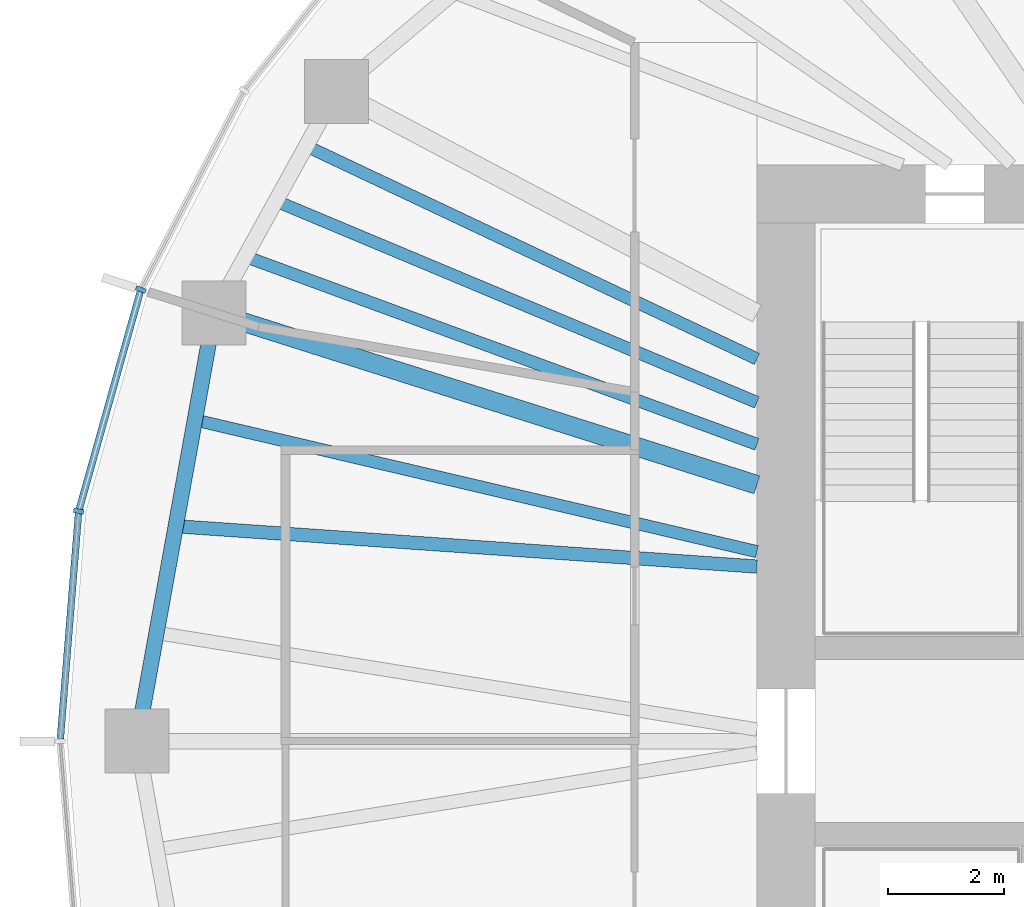
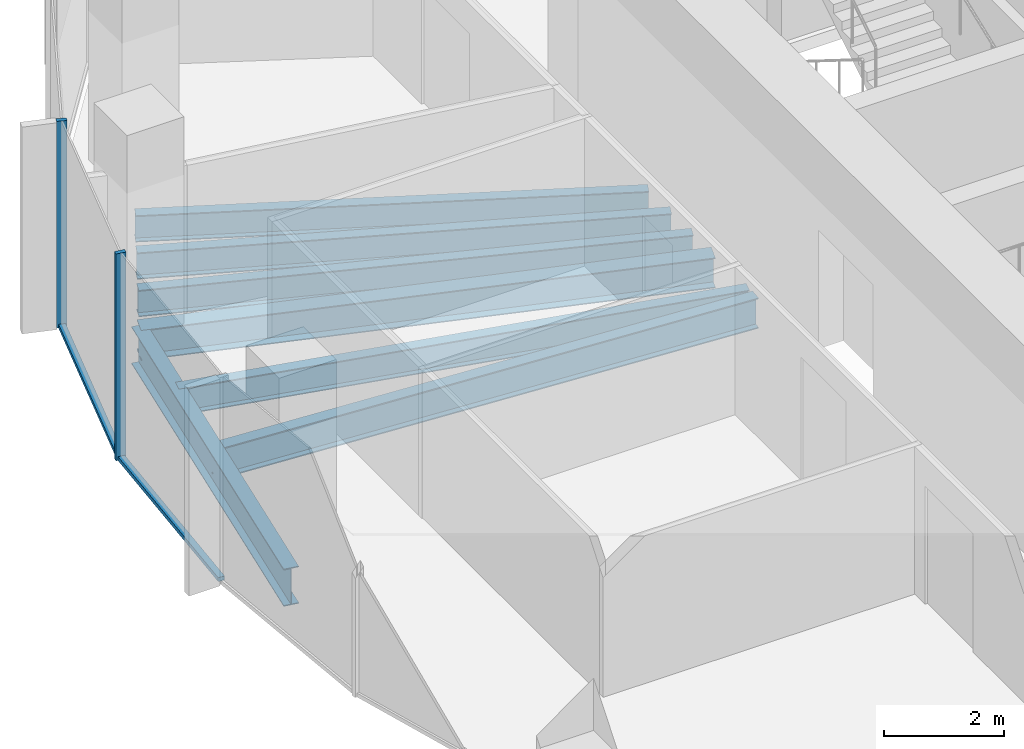
# One storey, part 3 of 11: 7 beams, 4 members, 1 element without a shape of its own.
"""IFC4 building model written with IfcOpenShell, lengths in metres."""

import ifcopenshell
import ifcopenshell.guid

model = None  # the IFC model being written
_history = None  # IfcOwnerHistory: only IFC2X3 demands one
_inside = {}  # id of a spatial element -> (the spatial element, [elements in it])
_under = {}  # id of a project, library or spatial element -> (it, [spatial elements below it])
_declared = {}  # id of a project -> (the project, [libraries it declares])
_typed = {}  # id of a type object -> (the type object, [elements of that type])
_made_of = {}  # id of a material, layer set ... -> (it, [elements and type objects made of it])


def new_model(schema):
    """Start an empty IFC model of exactly this schema.

    Asked for "IFC4X3", IfcOpenShell would pick the latest addendum, in which some entities
    have other attributes; the version numbers below select the first issue.
    IFC2X3 requires an IfcOwnerHistory on every rooted entity: one is made here for all.
    """
    global model, _history
    if schema == "IFC4X3":
        model = ifcopenshell.file(schema_version=(4, 3, 0, 0))
    else:
        model = ifcopenshell.file(schema=schema)
    _inside.clear()
    _under.clear()
    _declared.clear()
    _typed.clear()
    _made_of.clear()
    _history = None
    if model.schema == "IFC2X3":
        org = make("IfcOrganization", Name="unknown")
        user = make(
            "IfcPersonAndOrganization",
            ThePerson=make("IfcPerson", FamilyName="unknown"),
            TheOrganization=org,
        )
        app = make(
            "IfcApplication",
            ApplicationDeveloper=org,
            Version="unknown",
            ApplicationFullName="unknown",
            ApplicationIdentifier="unknown",
        )
        _history = make(
            "IfcOwnerHistory",
            OwningUser=user,
            OwningApplication=app,
            ChangeAction="ADDED",
            CreationDate=0,
        )
    return model


def make(cls, **values):
    """One entity of the class cls with the attributes given. An attribute that is None is left unset."""
    return model.create_entity(
        cls, **{name: value for name, value in values.items() if value is not None}
    )


def rooted(cls, **values):
    """An entity with a GlobalId (a new one), such as an element, a storey or a relation."""
    return make(cls, GlobalId=ifcopenshell.guid.new(), OwnerHistory=_history, **values)


def si_unit(unit_type, name, prefix=None):
    """IfcSIUnit, for example si_unit("LENGTHUNIT", "METRE", prefix="MILLI")."""
    return make("IfcSIUnit", UnitType=unit_type, Prefix=prefix, Name=name)


def assignment(units):
    """IfcUnitAssignment: the units of a project."""
    return None if units is None else make("IfcUnitAssignment", Units=units)


def point(xyz):
    """IfcCartesianPoint."""
    return None if xyz is None else make("IfcCartesianPoint", Coordinates=xyz)


def direction(xyz):
    """IfcDirection."""
    return None if xyz is None else make("IfcDirection", DirectionRatios=xyz)


def frame(location, z_axis=None, x_axis=None):
    """IfcAxis2Placement3D, a coordinate frame: its origin and axes. An axis left out is left unset."""
    return make(
        "IfcAxis2Placement3D",
        Location=point(location),
        Axis=direction(z_axis),
        RefDirection=direction(x_axis),
    )


def frame_2d(location, x_axis=None):
    """IfcAxis2Placement2D, a coordinate frame in the plane: its origin and x axis."""
    return make(
        "IfcAxis2Placement2D", Location=point(location), RefDirection=direction(x_axis)
    )


def origin():
    """The frame at (0, 0, 0) with its axes left unset."""
    return frame((0.0, 0.0, 0.0))


def origin_2d():
    """The frame at (0, 0) in the plane with its x axis left unset."""
    return frame_2d((0.0, 0.0))


def place(relative_to, where):
    """IfcLocalPlacement: puts the frame where relative to a parent placement (None: the world)."""
    return make(
        "IfcLocalPlacement", PlacementRelTo=relative_to, RelativePlacement=where
    )


def context(
    kind, dimensions, precision=None, world=None, true_north=None, identifier=None
):
    """IfcGeometricRepresentationContext, for example the 3D "Model" context."""
    return make(
        "IfcGeometricRepresentationContext",
        ContextIdentifier=identifier,
        ContextType=kind,
        CoordinateSpaceDimension=dimensions,
        Precision=precision,
        WorldCoordinateSystem=world,
        TrueNorth=true_north,
    )


def subcontext(parent, identifier, kind, view, scale=None):
    """IfcGeometricRepresentationSubContext, for example "Body" below "Model"."""
    return make(
        "IfcGeometricRepresentationSubContext",
        ContextIdentifier=identifier,
        ContextType=kind,
        ParentContext=parent,
        TargetScale=scale,
        TargetView=view,
    )


def project(units=None, contexts=None):
    """IfcProject with its units and contexts."""
    return rooted(
        "IfcProject",
        Name="project",
        RepresentationContexts=contexts,
        UnitsInContext=assignment(units),
    )


def spatial(cls, under=None, at=None, **own):
    """A site, building, storey or space (cls), placed at a placement, below another one or the project."""
    s = rooted(cls, ObjectPlacement=at, **own)
    if under is not None:
        _under.setdefault(under.id(), (under, []))[1].append(s)
    return s


def profile(cls, at=None, kind="AREA", **sizes):
    """A parametric profile (cls). Its sizes go by their IFC names, for example OverallWidth=200.0."""
    return make(cls, ProfileType=kind, Position=at, **sizes)


def rectangle(**sizes):
    """IfcRectangleProfileDef."""
    return profile("IfcRectangleProfileDef", **sizes)


def i_section(**sizes):
    """IfcIShapeProfileDef."""
    return profile("IfcIShapeProfileDef", **sizes)


def extrude(swept, where, along, depth):
    """IfcExtrudedAreaSolid: the profile swept, set in the frame where, extruded along a direction by depth."""
    return make(
        "IfcExtrudedAreaSolid",
        SweptArea=swept,
        Position=where,
        ExtrudedDirection=direction(along),
        Depth=depth,
    )


def shape(context_of_items, identifier, shape_type, items):
    """IfcShapeRepresentation: the items that make up one representation, for example the "Body"."""
    return make(
        "IfcShapeRepresentation",
        ContextOfItems=context_of_items,
        RepresentationIdentifier=identifier,
        RepresentationType=shape_type,
        Items=items,
    )


def material(Name=None, Category=None):
    """IfcMaterial."""
    return make("IfcMaterial", Name=Name, Category=Category)


def material_profile(
    of_material, cross_section, Name=None, Category=None, Priority=None
):
    """IfcMaterialProfile: a cross section and its material."""
    return make(
        "IfcMaterialProfile",
        Name=Name,
        Material=of_material,
        Profile=cross_section,
        Priority=Priority,
        Category=Category,
    )


def profile_set(profiles, Name=None, composite=None):
    """IfcMaterialProfileSet."""
    return make(
        "IfcMaterialProfileSet",
        Name=Name,
        MaterialProfiles=profiles,
        CompositeProfile=composite,
    )


def made_of(thing, what):
    """Note that an element or type object is made of a material, layer set ...; save() writes the relation."""
    if what is not None:
        _made_of.setdefault(what.id(), (what, []))[1].append(thing)
    return thing


def type_object(cls, material=None, **own):
    """A type object (cls), such as IfcWallType, which elements share."""
    return made_of(rooted(cls, **own), material)


def element(
    cls,
    number,
    at=None,
    inside=None,
    cuts=None,
    type_object=None,
    material=None,
    context=None,
    identifier="Body",
    shape_type=None,
    held_by="IfcProductDefinitionShape",
    body=None,
    shapes=None,
    **own,
):
    """One element of the class cls, such as IfcWall. Its Tag is "e" and its number.

    at: its placement. inside: the storey or other place that contains it. cuts: it is an
    opening in that element (IfcRelVoidsElement). A single representation is given by context,
    identifier, shape_type and body (its items); several are given by shapes. held_by: the class
    of the entity that holds the representations. save() writes the other relations.
    """
    e = rooted(cls, Tag="e%d" % number, ObjectPlacement=at, **own)
    if body is not None:
        shapes = [shape(context, identifier, shape_type, body)]
    if shapes is not None:
        e.Representation = make(held_by, Representations=shapes)
    if inside is not None:
        _inside.setdefault(inside.id(), (inside, []))[1].append(e)
    if cuts is not None:
        rooted(
            "IfcRelVoidsElement", RelatingBuildingElement=cuts, RelatedOpeningElement=e
        )
    if type_object is not None:
        _typed.setdefault(type_object.id(), (type_object, []))[1].append(e)
    return made_of(e, material)


def aggregate(whole, parts):
    """IfcRelAggregates: a whole, such as a stair, and the parts it consists of."""
    return rooted("IfcRelAggregates", RelatingObject=whole, RelatedObjects=parts)


def save(model, path):
    """Write the relations noted so far, then the file.

    IfcRelAggregates (storeys below a building ...), IfcRelContainedInSpatialStructure (elements
    in a storey), IfcRelDefinesByType, IfcRelAssociatesMaterial and IfcRelDeclares: one each for
    every whole, place, type object, material and project.
    """
    for whole, parts in _under.values():
        aggregate(whole, parts)
    for where, things in _inside.values():
        rooted(
            "IfcRelContainedInSpatialStructure",
            RelatedElements=things,
            RelatingStructure=where,
        )
    for kind, things in _typed.values():
        rooted("IfcRelDefinesByType", RelatedObjects=things, RelatingType=kind)
    for what, things in _made_of.values():
        rooted("IfcRelAssociatesMaterial", RelatedObjects=things, RelatingMaterial=what)
    for by, libraries in _declared.values():
        rooted("IfcRelDeclares", RelatingContext=by, RelatedDefinitions=libraries)
    model.write(path)


model = new_model("IFC4")

# Units and contexts
model_context = context("Model", 3, precision=1e-05, world=origin(), true_north=direction((0.0, 1.0)))
body_context = subcontext(model_context, "Body", "Model", "MODEL_VIEW")
ifc_project = project(units=[si_unit("LENGTHUNIT", "METRE"), si_unit("AREAUNIT", "SQUARE_METRE"), si_unit("VOLUMEUNIT", "CUBIC_METRE"), si_unit("PLANEANGLEUNIT", "RADIAN"), si_unit("MASSUNIT", "GRAM", prefix="KILO")], contexts=[model_context])

# Site, building, storey
site_placement = place(None, origin())
site = spatial("IfcSite", under=ifc_project, at=site_placement, CompositionType="ELEMENT")
building_placement = place(site_placement, origin())
building = spatial("IfcBuilding", under=site, at=building_placement, Name="Ghaith Harvest Tower", CompositionType="ELEMENT")
storey_placement = place(building_placement, frame((0.0, 0.0, 292.199951171875)))
storey = spatial("IfcBuildingStorey", under=building, at=storey_placement, Name="L65", CompositionType="ELEMENT", Elevation=292.199951171875)

# Curtain wall, members
ifc_material_1 = material(Name="Black anodised aluminium and fritted glass", Category="aluminium")
curtain_wall_type = type_object("IfcCurtainWallType", Name="CW-T CURTAIN WALL", PredefinedType="NOTDEFINED", material=ifc_material_1)
curtain_wall_placement = place(storey_placement, origin())
curtain_wall = element("IfcCurtainWall", 1, at=curtain_wall_placement, inside=storey, type_object=curtain_wall_type, Name="Curtain wall CW-T bay 10 L65", PredefinedType="NOTDEFINED")
ifc_material_2 = material(Name="Aluminium, black anodised", Category="aluminium")
ifc_material_profile_1 = material_profile(ifc_material_2, rectangle(XDim=0.080078125, YDim=0.179931640625, at=origin_2d()), Name="CW-T MULLION 80x180")
ifc_profile_set_1 = profile_set([ifc_material_profile_1], Name="Aluminium, black anodised")
member_type_1 = type_object("IfcMemberType", Name="CW-T MULLION 80x180", PredefinedType="MULLION", material=ifc_profile_set_1)
member_1_placement = place(storey_placement, frame((-24.482666015625, 7.759033203125, 0.0), z_axis=(0.0, 0.0, 1.0), x_axis=(-0.366473104961, -0.930428644948, 0.0)))
member_1 = element("IfcMember", 2, at=member_1_placement, type_object=member_type_1, Name="CW-T mullion 1 bay 10 L65", PredefinedType="MULLION", context=body_context, shape_type="SweptSolid", body=[
    extrude(rectangle(XDim=0.080078125, YDim=0.179931640625, at=origin_2d()), origin(), (0.0, 0.0, 1.0), 4.199951171875),
])
member_2_placement = place(storey_placement, frame((-25.5517578125, 3.9521484375, 0.0), z_axis=(0.0, 0.0, 1.0), x_axis=(-0.176001390642, -0.984389917915, 0.0)))
member_2 = element("IfcMember", 3, at=member_2_placement, type_object=member_type_1, Name="CW-T mullion 2 bay 10 L65", PredefinedType="MULLION", context=body_context, shape_type="SweptSolid", body=[
    extrude(rectangle(XDim=0.080078125, YDim=0.179931640625, at=origin_2d()), origin(), (0.0, 0.0, 1.0), 4.199951171875),
])
ifc_material_3 = material(Name="Aluminium, black anodised", Category="aluminium")
ifc_material_profile_2 = material_profile(ifc_material_3, rectangle(XDim=0.1201171875, YDim=0.080078125, at=origin_2d()), Name="CW-T TRANSOM 120x80")
ifc_profile_set_2 = profile_set([ifc_material_profile_2], Name="Aluminium, black anodised")
member_type_2 = type_object("IfcMemberType", Name="CW-T TRANSOM 120x80", PredefinedType="USERDEFINED", material=ifc_profile_set_2)
member_3_placement = place(storey_placement, frame((-24.49365234375, 7.720458984375, 0.0400390625), z_axis=(-0.270340422972, -0.962764797709, 0.0), x_axis=(0.962764797709, -0.270340422972, 0.0)))
member_3 = element("IfcMember", 4, at=member_3_placement, type_object=member_type_2, Name="CW-T transom 1 bay 10 L65", ObjectType="TRANSOM", PredefinedType="USERDEFINED", context=body_context, shape_type="SweptSolid", body=[
    extrude(rectangle(XDim=0.1201171875, YDim=0.080078125, at=origin_2d()), origin(), (0.0, 0.0, 1.0), 3.874267578125),
])
member_4_placement = place(storey_placement, frame((-25.554931640625, 3.912109375, 0.0400390625), z_axis=(-0.08025226314, -0.996774585481, 0.0), x_axis=(0.996774585481, -0.08025226314, 0.0)))
member_4 = element("IfcMember", 5, at=member_4_placement, type_object=member_type_2, Name="CW-T transom 2 bay 10 L65", ObjectType="TRANSOM", PredefinedType="USERDEFINED", context=body_context, shape_type="SweptSolid", body=[
    extrude(rectangle(XDim=0.1201171875, YDim=0.080078125, at=origin_2d()), origin(), (0.0, 0.0, 1.0), 3.884765625),
])
aggregate(curtain_wall, [member_1, member_3, member_2, member_4])

# Beams
ifc_material_4 = material(Name="Steel ASTM A992 Grade 50", Category="steel")
ifc_material_profile_3 = material_profile(ifc_material_4, i_section(OverallWidth=0.26611328125, OverallDepth=0.758056640625, WebThickness=0.013916015625, FlangeThickness=0.019287109375, at=origin_2d()), Name="W760X161")
ifc_profile_set_3 = profile_set([ifc_material_profile_3], Name="Steel ASTM A992 Grade 50")
beam_type_1 = type_object("IfcBeamType", Name="E760-161 W760X161", PredefinedType="SPANDREL", material=ifc_profile_set_3)
beam_1_placement = place(storey_placement, frame((-23.22412109375, 7.360107421875, -0.549072265625), z_axis=(-0.177296554745, -0.984157473007, 0.0), x_axis=(0.984157473007, -0.177296554745, 0.0)))
element("IfcBeam", 6, at=beam_1_placement, inside=storey, type_object=beam_type_1, Name="Edge beam E10 L65", PredefinedType="SPANDREL", context=body_context, shape_type="SweptSolid", body=[
    extrude(i_section(OverallWidth=0.26611328125, OverallDepth=0.758056640625, WebThickness=0.013916015625, FlangeThickness=0.019287109375, at=origin_2d()), origin(), (0.0, 0.0, 1.0), 7.478515625),
])
ifc_material_5 = material(Name="Steel ASTM A992 Grade 50", Category="steel")
ifc_material_profile_4 = material_profile(ifc_material_5, i_section(OverallWidth=0.323974609375, OverallDepth=0.611083984375, WebThickness=0.0126953125, FlangeThickness=0.01904296875, at=origin_2d()), Name="W610X155")
ifc_profile_set_4 = profile_set([ifc_material_profile_4], Name="Steel ASTM A992 Grade 50")
beam_type_2 = type_object("IfcBeamType", Name="G610-155 W610X155", PredefinedType="BEAM", material=ifc_profile_set_4)
beam_2_placement = place(storey_placement, frame((-13.89990234375, 4.4052734375, -0.475341796875), z_axis=(-0.953278508772, 0.302092841215, 0.0), x_axis=(-0.302092841215, -0.953278508772, 0.0)))
element("IfcBeam", 7, at=beam_2_placement, inside=storey, type_object=beam_type_2, Name="Radial girder G10 L65", PredefinedType="BEAM", context=body_context, shape_type="SweptSolid", body=[
    extrude(i_section(OverallWidth=0.323974609375, OverallDepth=0.611083984375, WebThickness=0.0126953125, FlangeThickness=0.01904296875, at=origin_2d()), origin(), (0.0, 0.0, 1.0), 9.78125),
])
ifc_material_6 = material(Name="Steel ASTM A992 Grade 50", Category="steel")
ifc_material_profile_5 = material_profile(ifc_material_6, i_section(OverallWidth=0.2109375, OverallDepth=0.5390625, WebThickness=0.01171875, FlangeThickness=0.018798828125, at=origin_2d()), Name="W530X109")
ifc_profile_set_5 = profile_set([ifc_material_profile_5], Name="Steel ASTM A992 Grade 50")
beam_type_3 = type_object("IfcBeamType", Name="J530-109 W530X109", PredefinedType="JOIST", material=ifc_profile_set_5)
beam_3_placement = place(storey_placement, frame((-13.89990234375, 6.56787109375, -0.439453125), z_axis=(-0.904165769726, 0.427181765594, 0.0), x_axis=(-0.427181765594, -0.904165769726, 0.0)))
element("IfcBeam", 8, at=beam_3_placement, inside=storey, type_object=beam_type_3, Name="Joist J09.1 L65", PredefinedType="JOIST", context=body_context, shape_type="SweptSolid", body=[
    extrude(i_section(OverallWidth=0.2109375, OverallDepth=0.5390625, WebThickness=0.01171875, FlangeThickness=0.018798828125, at=origin_2d()), origin(), (0.0, 0.0, 1.0), 8.564208984375),
])
beam_4_placement = place(storey_placement, frame((-13.89990234375, 5.82080078125, -0.439453125), z_axis=(-0.922394258818, 0.38624970071, 0.0), x_axis=(-0.38624970071, -0.922394258818, 0.0)))
element("IfcBeam", 9, at=beam_4_placement, inside=storey, type_object=beam_type_3, Name="Joist J09.2 L65", PredefinedType="JOIST", context=body_context, shape_type="SweptSolid", body=[
    extrude(i_section(OverallWidth=0.2109375, OverallDepth=0.5390625, WebThickness=0.01171875, FlangeThickness=0.018798828125, at=origin_2d()), origin(), (0.0, 0.0, 1.0), 8.959716796875),
])
beam_5_placement = place(storey_placement, frame((-13.89990234375, 5.101318359375, -0.439453125), z_axis=(-0.938776837502, 0.34452583266, 0.0), x_axis=(-0.34452583266, -0.938776837502, 0.0)))
element("IfcBeam", 10, at=beam_5_placement, inside=storey, type_object=beam_type_3, Name="Joist J09.3 L65", PredefinedType="JOIST", context=body_context, shape_type="SweptSolid", body=[
    extrude(i_section(OverallWidth=0.2109375, OverallDepth=0.5390625, WebThickness=0.01171875, FlangeThickness=0.018798828125, at=origin_2d()), origin(), (0.0, 0.0, 1.0), 9.36376953125),
])
beam_6_placement = place(storey_placement, frame((-13.89990234375, 3.257080078125, -0.439453125), z_axis=(-0.973623403271, 0.228161058472, 0.0), x_axis=(-0.228161058472, -0.973623403271, 0.0)))
element("IfcBeam", 11, at=beam_6_placement, inside=storey, type_object=beam_type_3, Name="Joist J10.1 L65", PredefinedType="JOIST", context=body_context, shape_type="SweptSolid", body=[
    extrude(i_section(OverallWidth=0.2109375, OverallDepth=0.5390625, WebThickness=0.01171875, FlangeThickness=0.018798828125, at=origin_2d()), origin(), (0.0, 0.0, 1.0), 9.9169921875),
])
ifc_material_7 = material(Name="Steel ASTM A992 Grade 50", Category="steel")
ifc_material_profile_6 = material_profile(ifc_material_7, i_section(OverallWidth=0.22998046875, OverallDepth=0.616943359375, WebThickness=0.01318359375, FlangeThickness=0.022216796875, at=origin_2d()), Name="W610X140")
ifc_profile_set_6 = profile_set([ifc_material_profile_6], Name="Steel ASTM A992 Grade 50")
beam_type_4 = type_object("IfcBeamType", Name="J610-140 W610X140", PredefinedType="JOIST", material=ifc_profile_set_6)
beam_7_placement = place(storey_placement, frame((-13.89990234375, 3.0, -0.478515625), z_axis=(-0.997592478057, 0.069348739886, 0.0), x_axis=(-0.069348739886, -0.997592478057, 0.0)))
element("IfcBeam", 12, at=beam_7_placement, inside=storey, type_object=beam_type_4, Name="Joist J10.2 L65", PredefinedType="JOIST", context=body_context, shape_type="SweptSolid", body=[
    extrude(i_section(OverallWidth=0.22998046875, OverallDepth=0.616943359375, WebThickness=0.01318359375, FlangeThickness=0.022216796875, at=origin_2d()), origin(), (0.0, 0.0, 1.0), 10.0087890625),
])

save(model, "model.ifc")
